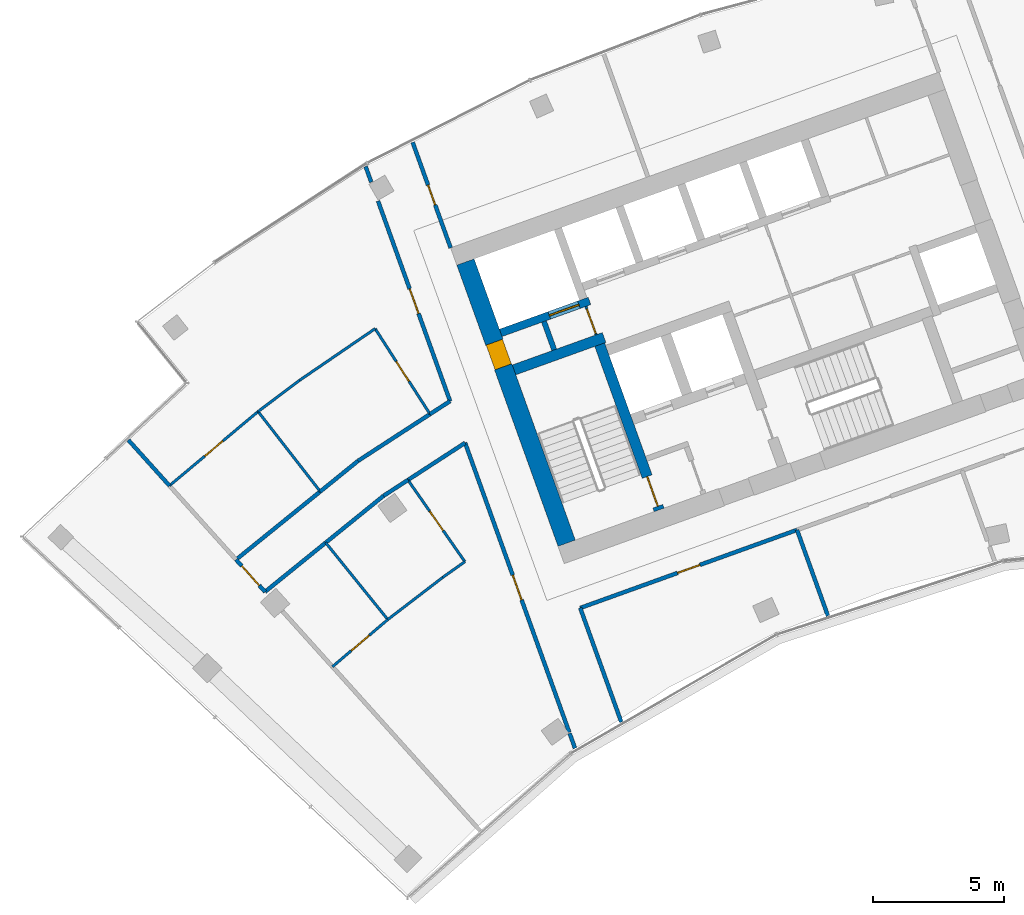
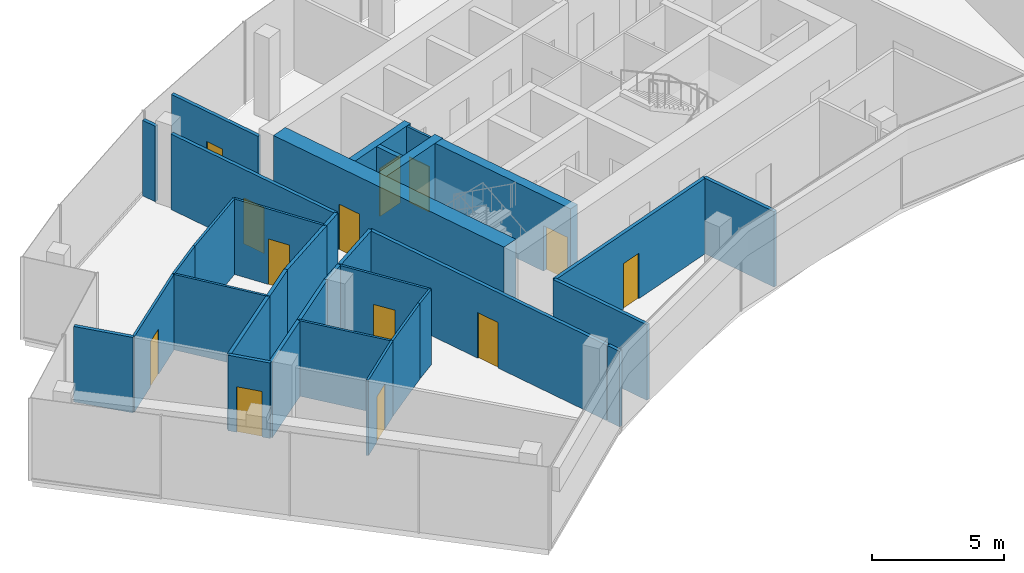
# One storey, part 12 of 18: 34 walls, 13 doors, 13 openings.
"""IFC4 building model written with IfcOpenShell, lengths in metres."""

from ifc_helpers import new_model, si_unit, direction, frame, frame_2d, origin, place, context, subcontext, project, spatial, rectangle, extrude, material, layer, layer_set, type_object, element, fill, save


model = new_model("IFC4")

# Units and contexts
model_context = context("Model", 3, precision=1e-05, world=origin(), true_north=direction((0.0, 1.0)))
body_context = subcontext(model_context, "Body", "Model", "MODEL_VIEW")
ifc_project = project(units=[si_unit("LENGTHUNIT", "METRE"), si_unit("AREAUNIT", "SQUARE_METRE"), si_unit("VOLUMEUNIT", "CUBIC_METRE"), si_unit("PLANEANGLEUNIT", "RADIAN"), si_unit("MASSUNIT", "GRAM", prefix="KILO")], contexts=[model_context])

# Site, building, storey
site_placement = place(None, origin())
site = spatial("IfcSite", under=ifc_project, at=site_placement, CompositionType="ELEMENT")
building_placement = place(site_placement, origin())
building = spatial("IfcBuilding", under=site, at=building_placement, Name="Stone Belt Terrace Tower", CompositionType="ELEMENT")
storey_placement = place(building_placement, frame((0.0, 0.0, 277.0)))
storey = spatial("IfcBuildingStorey", under=building, at=storey_placement, Name="L67", CompositionType="ELEMENT", Elevation=277.0)

# Wall, opening, door
ifc_material_1 = material(Name="Plasterboard partition")
ifc_layer_1 = layer(ifc_material_1, 0.10009765625)
ifc_layer_set_1 = layer_set([ifc_layer_1], Name="Core partition 100")
wall_type_1 = type_object("IfcWallType", Name="Core partition 100", PredefinedType="PARTITIONING", material=ifc_layer_set_1)
wall_1_placement = place(storey_placement, frame((-24.555908203125, 51.10400390625, 0.0), z_axis=(0.0, 0.0, 1.0), x_axis=(-0.338621735342, 0.94092258999, 0.0)))
wall_1 = element("IfcWall", 1, at=wall_1_placement, inside=storey, type_object=wall_type_1, Name="Core A wall", PredefinedType="PARTITIONING", context=body_context, shape_type="SweptSolid", body=[
    extrude(rectangle(XDim=1.14990234375, YDim=0.10009765625, at=frame_2d((0.574951171875, 0.0))), origin(), (0.0, 0.0, 1.0), 3.47998046875),
])
opening_1_placement = place(wall_1_placement, frame((0.050048828125, 0.0, 0.0)))
opening_1 = element("IfcOpeningElement", 2, at=opening_1_placement, cuts=wall_1, Name="Opening L67-C07", PredefinedType="OPENING", context=body_context, shape_type="SweptSolid", body=[
    extrude(rectangle(XDim=1.0, YDim=2.10009765625, at=frame_2d((0.5, 1.050048828125))), frame((0.0, 0.06005859375, 0.0), z_axis=(0.0, -1.0, 0.0), x_axis=(1.0, 0.0, 0.0)), (0.0, 0.0, 1.0), 0.1201171875),
])
ifc_material_2 = material(Name="Timber door leaf", Category="wood")
door_type_1 = type_object("IfcDoorType", Name="Core room door 1000", OperationType="SINGLE_SWING_LEFT", PredefinedType="DOOR", material=ifc_material_2)
door_1_placement = place(opening_1_placement, origin())
door_1 = element("IfcDoor", 3, at=door_1_placement, inside=storey, type_object=door_type_1, Name="Service lift lobby door core A", OperationType="SINGLE_SWING_RIGHT", OverallHeight=2.10009765625, OverallWidth=1.0, PredefinedType="DOOR", context=body_context, shape_type="SweptSolid", body=[
    extrude(rectangle(XDim=1.0, YDim=2.10009765625, at=frame_2d((0.5, 1.050048828125))), frame((0.0, 0.02490234375, 0.0), z_axis=(0.0, -1.0, 0.0), x_axis=(1.0, 0.0, 0.0)), (0.0, 0.0, 1.0), 0.050048828125),
])
fill(opening_1, door_1)

ifc_material_3 = material(Name="Concrete B60", Category="concrete")
ifc_layer_2 = layer(ifc_material_3, 0.699951171875)
ifc_layer_set_2 = layer_set([ifc_layer_2], Name="Core wall 700 B60")
wall_type_2 = type_object("IfcWallType", Name="Core wall 700 B60", PredefinedType="SHEAR", material=ifc_layer_set_2)
wall_2_placement = place(storey_placement, frame((-25.679931640625, 43.153564453125, 0.0), z_axis=(0.0, 0.0, 1.0), x_axis=(-0.338625431531, 0.940921259788, 0.0)))
wall_2 = element("IfcWall", 4, at=wall_2_placement, inside=storey, type_object=wall_type_2, Name="Core A wall end_a L67", PredefinedType="SHEAR", context=body_context, shape_type="SweptSolid", body=[
    extrude(rectangle(XDim=11.400146484375, YDim=0.699951171875, at=frame_2d((5.7001953125, 0.0))), origin(), (0.0, 0.0, 1.0), 3.800048828125),
])
opening_2_placement = place(wall_2_placement, frame((7.14990234375, 0.0, 0.0)))
opening_2 = element("IfcOpeningElement", 5, at=opening_2_placement, cuts=wall_2, Name="Opening L67-C06", PredefinedType="OPENING", context=body_context, shape_type="SweptSolid", body=[
    extrude(rectangle(XDim=1.0, YDim=2.10009765625, at=frame_2d((0.5, 1.050048828125))), frame((0.0, 0.35986328125, 0.0), z_axis=(0.0, -1.0, 0.0), x_axis=(1.0, 0.0, 0.0)), (0.0, 0.0, 1.0), 0.719970703125),
])
door_2_placement = place(opening_2_placement, origin())
door_2 = element("IfcDoor", 6, at=door_2_placement, inside=storey, type_object=door_type_1, Name="Door to Telecommunications riser room core A", OperationType="SINGLE_SWING_LEFT", OverallHeight=2.10009765625, OverallWidth=1.0, PredefinedType="DOOR", context=body_context, shape_type="SweptSolid", body=[
    extrude(rectangle(XDim=1.0, YDim=2.10009765625, at=frame_2d((0.5, 1.050048828125))), frame((0.0, 0.330078125, 0.0), z_axis=(0.0, -1.0, 0.0), x_axis=(1.0, 0.0, 0.0)), (0.0, 0.0, 1.0), 0.659912109375),
])
fill(opening_2, door_2)

ifc_material_4 = material(Name="Concrete B80", Category="concrete")
ifc_layer_3 = layer(ifc_material_4, 0.300048828125)
ifc_layer_set_3 = layer_set([ifc_layer_3], Name="Lift shaft wall 300")
wall_type_3 = type_object("IfcWallType", Name="Lift shaft wall 300", PredefinedType="SHEAR", material=ifc_layer_set_3)
wall_3_placement = place(storey_placement, frame((-28.195068359375, 51.17578125, 0.0), z_axis=(0.0, 0.0, 1.0), x_axis=(0.940901243567, 0.338681044427, 0.0)))
wall_3 = element("IfcWall", 7, at=wall_3_placement, inside=storey, type_object=wall_type_3, Name="Core A wall", PredefinedType="SHEAR", context=body_context, shape_type="SweptSolid", body=[
    extrude(rectangle(XDim=3.599853515625, YDim=0.300048828125, at=frame_2d((1.7998046875, 0.0))), origin(), (0.0, 0.0, 1.0), 3.47998046875),
])
opening_3_placement = place(wall_3_placement, frame((1.969970703125, 0.0, 0.0)))
opening_3 = element("IfcOpeningElement", 8, at=opening_3_placement, cuts=wall_3, Name="Opening L67-LD07", PredefinedType="OPENING", context=body_context, shape_type="SweptSolid", body=[
    extrude(rectangle(XDim=1.199951171875, YDim=2.199951171875, at=frame_2d((0.60009765625, 1.10009765625))), frame((0.0, 0.159912109375, 0.0), z_axis=(0.0, -1.0, 0.0), x_axis=(1.0, 0.0, 0.0)), (0.0, 0.0, 1.0), 0.320068359375),
])
ifc_material_5 = material(Name="Stainless steel door leaf", Category="steel")
door_type_2 = type_object("IfcDoorType", Name="Landing door 1200", OperationType="SLIDING_TO_LEFT", PredefinedType="DOOR", material=ifc_material_5)
door_3_placement = place(opening_3_placement, origin())
door_3 = element("IfcDoor", 9, at=door_3_placement, inside=storey, type_object=door_type_2, Name="Landing door SV1 core A", OperationType="SLIDING_TO_LEFT", OverallHeight=2.199951171875, OverallWidth=1.199951171875, PredefinedType="DOOR", context=body_context, shape_type="SweptSolid", body=[
    extrude(rectangle(XDim=1.199951171875, YDim=2.199951171875, at=frame_2d((0.60009765625, 1.10009765625))), frame((0.0, 0.02490234375, 0.0), z_axis=(0.0, -1.0, 0.0), x_axis=(1.0, 0.0, 0.0)), (0.0, 0.0, 1.0), 0.050048828125),
])
fill(opening_3, door_3)

ifc_material_6 = material(Name="Gypsum board partition")
ifc_layer_4 = layer(ifc_material_6, 0.10009765625)
ifc_layer_set_4 = layer_set([ifc_layer_4], Name="PARTITION 100")
wall_type_4 = type_object("IfcWallType", Name="PARTITION 100", PredefinedType="PARTITIONING", material=ifc_layer_set_4)
wall_4_placement = place(storey_placement, frame((-34.614013671875, 38.443115234375, 0.0), z_axis=(0.0, 0.0, 1.0), x_axis=(0.761006539664, 0.648744207364, 0.0)))
wall_4 = element("IfcWall", 10, at=wall_4_placement, inside=storey, type_object=wall_type_4, Name="L67/wall/i050", PredefinedType="PARTITIONING", context=body_context, shape_type="SweptSolid", body=[
    extrude(rectangle(XDim=2.772705078125, YDim=0.10009765625, at=frame_2d((1.38623046875, 0.0))), origin(), (0.0, 0.0, 1.0), 3.47998046875),
])
opening_4_placement = place(wall_4_placement, frame((0.9365234375, 0.0, 0.0)))
opening_4 = element("IfcOpeningElement", 11, at=opening_4_placement, cuts=wall_4, Name="Opening D-E2-13", PredefinedType="OPENING", context=body_context, shape_type="SweptSolid", body=[
    extrude(rectangle(XDim=0.89990234375, YDim=2.10009765625, at=frame_2d((0.449951171875, 1.050048828125))), frame((0.0, 0.06005859375, 0.0), z_axis=(0.0, -1.0, 0.0), x_axis=(1.0, 0.0, 0.0)), (0.0, 0.0, 1.0), 0.1201171875),
])
door_type_3 = type_object("IfcDoorType", Name="OFFICE DOOR 900 X 2100", OperationType="NOTDEFINED", PredefinedType="DOOR", material=ifc_material_2)
door_4_placement = place(opening_4_placement, origin())
door_4 = element("IfcDoor", 12, at=door_4_placement, inside=storey, type_object=door_type_3, Name="L67/door/i13", OperationType="SINGLE_SWING_RIGHT", OverallHeight=2.10009765625, OverallWidth=0.89990234375, PredefinedType="DOOR", context=body_context, shape_type="SweptSolid", body=[
    extrude(rectangle(XDim=0.89990234375, YDim=2.10009765625, at=frame_2d((0.449951171875, 1.050048828125))), frame((0.0, 0.02490234375, 0.0), z_axis=(0.0, -1.0, 0.0), x_axis=(1.0, 0.0, 0.0)), (0.0, 0.0, 1.0), 0.050048828125),
])
fill(opening_4, door_4)

# Walls
wall_5_placement = place(storey_placement, frame((-32.50390625, 40.241943359375, 0.0), z_axis=(0.0, 0.0, 1.0), x_axis=(0.79364946925, 0.60837531176, 0.0)))
element("IfcWall", 13, at=wall_5_placement, inside=storey, type_object=wall_type_4, Name="L67/wall/i051", PredefinedType="PARTITIONING", context=body_context, shape_type="SweptSolid", body=[
    extrude(rectangle(XDim=2.643310546875, YDim=0.10009765625, at=frame_2d((1.32177734375, 0.0))), origin(), (0.0, 0.0, 1.0), 3.47998046875),
])
wall_6_placement = place(storey_placement, frame((-30.406005859375, 41.85009765625, 0.0), z_axis=(0.0, 0.0, 1.0), x_axis=(0.814913166391, 0.579583066732, 0.0)))
element("IfcWall", 14, at=wall_6_placement, inside=storey, type_object=wall_type_4, Name="L67/wall/i052", PredefinedType="PARTITIONING", context=body_context, shape_type="SweptSolid", body=[
    extrude(rectangle(XDim=1.033203125, YDim=0.10009765625, at=frame_2d((0.5166015625, 0.0))), origin(), (0.0, 0.0, 1.0), 3.47998046875),
])

# Wall, opening, door
wall_7_placement = place(storey_placement, frame((-29.56396484375, 42.448974609375, 0.0), z_axis=(0.0, 0.0, 1.0), x_axis=(-0.571687766548, 0.820471265541, 0.0)))
wall_7 = element("IfcWall", 15, at=wall_7_placement, inside=storey, type_object=wall_type_4, Name="L67/wall/i053", PredefinedType="PARTITIONING", context=body_context, shape_type="SweptSolid", body=[
    extrude(rectangle(XDim=3.7978515625, YDim=0.10009765625, at=frame_2d((1.89892578125, 0.0))), origin(), (0.0, 0.0, 1.0), 3.47998046875),
])
opening_5_placement = place(wall_7_placement, frame((1.448974609375, 0.0, 0.0)))
opening_5 = element("IfcOpeningElement", 16, at=opening_5_placement, cuts=wall_7, Name="Opening D-E2-14", PredefinedType="OPENING", context=body_context, shape_type="SweptSolid", body=[
    extrude(rectangle(XDim=0.89990234375, YDim=2.10009765625, at=frame_2d((0.449951171875, 1.050048828125))), frame((0.0, 0.06005859375, 0.0), z_axis=(0.0, -1.0, 0.0), x_axis=(1.0, 0.0, 0.0)), (0.0, 0.0, 1.0), 0.1201171875),
])
door_5_placement = place(opening_5_placement, origin())
door_5 = element("IfcDoor", 17, at=door_5_placement, inside=storey, type_object=door_type_3, Name="L67/door/i14", OperationType="SINGLE_SWING_RIGHT", OverallHeight=2.10009765625, OverallWidth=0.89990234375, PredefinedType="DOOR", context=body_context, shape_type="SweptSolid", body=[
    extrude(rectangle(XDim=0.89990234375, YDim=2.10009765625, at=frame_2d((0.449951171875, 1.050048828125))), frame((0.0, 0.02490234375, 0.0), z_axis=(0.0, -1.0, 0.0), x_axis=(1.0, 0.0, 0.0)), (0.0, 0.0, 1.0), 0.050048828125),
])
fill(opening_5, door_5)

# Wall
wall_8_placement = place(storey_placement, frame((-34.873046875, 43.174072265625, 0.0), z_axis=(0.0, 0.0, 1.0), x_axis=(0.628478802545, -0.777826712547, 0.0)))
element("IfcWall", 18, at=wall_8_placement, inside=storey, type_object=wall_type_4, Name="L67/wall/i054", PredefinedType="PARTITIONING", context=body_context, shape_type="SweptSolid", body=[
    extrude(rectangle(XDim=3.76953125, YDim=0.10009765625, at=frame_2d((1.884765625, 0.0))), origin(), (0.0, 0.0, 1.0), 3.47998046875),
])

# Wall, opening, door
wall_9_placement = place(storey_placement, frame((-37.451904296875, 48.177001953125, 0.0), z_axis=(0.0, 0.0, 1.0), x_axis=(-0.766843891386, -0.641833659327, 0.0)))
wall_9 = element("IfcWall", 19, at=wall_9_placement, inside=storey, type_object=wall_type_4, Name="L67/wall/i055", PredefinedType="PARTITIONING", context=body_context, shape_type="SweptSolid", body=[
    extrude(rectangle(XDim=4.407958984375, YDim=0.10009765625, at=frame_2d((2.2041015625, 0.0))), origin(), (0.0, 0.0, 1.0), 3.47998046875),
])
opening_6_placement = place(wall_9_placement, frame((1.75390625, 0.0, 0.0)))
opening_6 = element("IfcOpeningElement", 20, at=opening_6_placement, cuts=wall_9, Name="Opening D-E2-16", PredefinedType="OPENING", context=body_context, shape_type="SweptSolid", body=[
    extrude(rectangle(XDim=0.89990234375, YDim=2.10009765625, at=frame_2d((0.449951171875, 1.050048828125))), frame((0.0, 0.06005859375, 0.0), z_axis=(0.0, -1.0, 0.0), x_axis=(1.0, 0.0, 0.0)), (0.0, 0.0, 1.0), 0.1201171875),
])
door_6_placement = place(opening_6_placement, origin())
door_6 = element("IfcDoor", 21, at=door_6_placement, inside=storey, type_object=door_type_3, Name="L67/door/i16", OperationType="SINGLE_SWING_RIGHT", OverallHeight=2.10009765625, OverallWidth=0.89990234375, PredefinedType="DOOR", context=body_context, shape_type="SweptSolid", body=[
    extrude(rectangle(XDim=0.89990234375, YDim=2.10009765625, at=frame_2d((0.449951171875, 1.050048828125))), frame((0.0, 0.02490234375, 0.0), z_axis=(0.0, -1.0, 0.0), x_axis=(1.0, 0.0, 0.0)), (0.0, 0.0, 1.0), 0.050048828125),
])
fill(opening_6, door_6)

wall_10_placement = place(storey_placement, frame((-30.89208984375, 48.077880859375, 0.0), z_axis=(0.0, 0.0, 1.0), x_axis=(-0.540442272647, 0.841381096731, 0.0)))
wall_10 = element("IfcWall", 22, at=wall_10_placement, inside=storey, type_object=wall_type_4, Name="L67/wall/i056", PredefinedType="PARTITIONING", context=body_context, shape_type="SweptSolid", body=[
    extrude(rectangle(XDim=3.87451171875, YDim=0.10009765625, at=frame_2d((1.937255859375, 0.0))), origin(), (0.0, 0.0, 1.0), 3.47998046875),
])
opening_7_placement = place(wall_10_placement, frame((1.4873046875, 0.0, 0.0)))
opening_7 = element("IfcOpeningElement", 23, at=opening_7_placement, cuts=wall_10, Name="Opening D-E2-17", PredefinedType="OPENING", context=body_context, shape_type="SweptSolid", body=[
    extrude(rectangle(XDim=0.89990234375, YDim=2.10009765625, at=frame_2d((0.449951171875, 1.050048828125))), frame((0.0, 0.06005859375, 0.0), z_axis=(0.0, -1.0, 0.0), x_axis=(1.0, 0.0, 0.0)), (0.0, 0.0, 1.0), 0.1201171875),
])
door_7_placement = place(opening_7_placement, origin())
door_7 = element("IfcDoor", 24, at=door_7_placement, inside=storey, type_object=door_type_3, Name="L67/door/i17", OperationType="SINGLE_SWING_RIGHT", OverallHeight=2.10009765625, OverallWidth=0.89990234375, PredefinedType="DOOR", context=body_context, shape_type="SweptSolid", body=[
    extrude(rectangle(XDim=0.89990234375, YDim=2.10009765625, at=frame_2d((0.449951171875, 1.050048828125))), frame((0.0, 0.02490234375, 0.0), z_axis=(0.0, -1.0, 0.0), x_axis=(1.0, 0.0, 0.0)), (0.0, 0.0, 1.0), 0.050048828125),
])
fill(opening_7, door_7)

# Walls
wall_11_placement = place(storey_placement, frame((-32.986083984375, 51.337890625, 0.0), z_axis=(0.0, 0.0, 1.0), x_axis=(-0.825549065717, -0.5643303466, 0.0)))
element("IfcWall", 25, at=wall_11_placement, inside=storey, type_object=wall_type_4, Name="L67/wall/i057", PredefinedType="PARTITIONING", context=body_context, shape_type="SweptSolid", body=[
    extrude(rectangle(XDim=3.49072265625, YDim=0.10009765625, at=frame_2d((1.745361328125, 0.0))), origin(), (0.0, 0.0, 1.0), 3.47998046875),
])
wall_12_placement = place(storey_placement, frame((-35.867919921875, 49.367919921875, 0.0), z_axis=(0.0, 0.0, 1.0), x_axis=(-0.799289836713, -0.600945718786, 0.0)))
element("IfcWall", 26, at=wall_12_placement, inside=storey, type_object=wall_type_4, Name="L67/wall/i058", PredefinedType="PARTITIONING", context=body_context, shape_type="SweptSolid", body=[
    extrude(rectangle(XDim=1.981689453125, YDim=0.10009765625, at=frame_2d((0.99072265625, 0.0))), origin(), (0.0, 0.0, 1.0), 3.47998046875),
])
wall_13_placement = place(storey_placement, frame((-37.451904296875, 48.177001953125, 0.0), z_axis=(0.0, 0.0, 1.0), x_axis=(0.613748153551, -0.78950187081, 0.0)))
element("IfcWall", 27, at=wall_13_placement, inside=storey, type_object=wall_type_4, Name="L67/wall/i059", PredefinedType="PARTITIONING", context=body_context, shape_type="SweptSolid", body=[
    extrude(rectangle(XDim=3.864501953125, YDim=0.10009765625, at=frame_2d((1.93212890625, 0.0))), origin(), (0.0, 0.0, 1.0), 3.47998046875),
])
ifc_layer_5 = layer(ifc_material_6, 0.14990234375)
ifc_layer_set_5 = layer_set([ifc_layer_5], Name="PARTITION 150 EI 60")
wall_type_5 = type_object("IfcWallType", Name="PARTITION 150 EI 60", PredefinedType="PARTITIONING", material=ifc_layer_set_5)
wall_14_placement = place(storey_placement, frame((-25.1650390625, 40.68896484375, 0.0), z_axis=(0.0, 0.0, 1.0), x_axis=(0.338609342271, -0.94092704995, 0.0)))
element("IfcWall", 28, at=wall_14_placement, inside=storey, type_object=wall_type_5, Name="L67/wall/i001", PredefinedType="PARTITIONING", context=body_context, shape_type="SweptSolid", body=[
    extrude(rectangle(XDim=4.6318359375, YDim=0.14990234375, at=frame_2d((2.31591796875, 0.0))), origin(), (0.0, 0.0, 1.0), 3.47998046875),
])

# Wall, opening, door
wall_15_placement = place(storey_placement, frame((-31.556884765625, 58.4521484375, 0.0), z_axis=(0.0, 0.0, 1.0), x_axis=(0.338580264222, -0.940937513695, 0.0)))
wall_15 = element("IfcWall", 29, at=wall_15_placement, inside=storey, type_object=wall_type_5, Name="L67/wall/i002", PredefinedType="PARTITIONING", context=body_context, shape_type="SweptSolid", body=[
    extrude(rectangle(XDim=4.285400390625, YDim=0.14990234375, at=frame_2d((2.142578125, 0.0))), origin(), (0.0, 0.0, 1.0), 3.47998046875),
])
opening_8_placement = place(wall_15_placement, frame((1.74267578125, 0.0, 0.0)))
opening_8 = element("IfcOpeningElement", 30, at=opening_8_placement, cuts=wall_15, Name="Opening D-E2-04", PredefinedType="OPENING", context=body_context, shape_type="SweptSolid", body=[
    extrude(rectangle(XDim=0.800048828125, YDim=2.10009765625, at=frame_2d((0.39990234375, 1.050048828125))), frame((0.0, 0.0849609375, 0.0), z_axis=(0.0, -1.0, 0.0), x_axis=(1.0, 0.0, 0.0)), (0.0, 0.0, 1.0), 0.169921875),
])
door_type_4 = type_object("IfcDoorType", Name="STORE DOOR 800 X 2100", OperationType="NOTDEFINED", PredefinedType="DOOR", material=ifc_material_2)
door_8_placement = place(opening_8_placement, origin())
door_8 = element("IfcDoor", 31, at=door_8_placement, inside=storey, type_object=door_type_4, Name="L67/door/i04", OperationType="SINGLE_SWING_RIGHT", OverallHeight=2.10009765625, OverallWidth=0.800048828125, PredefinedType="DOOR", context=body_context, shape_type="SweptSolid", body=[
    extrude(rectangle(XDim=0.800048828125, YDim=2.10009765625, at=frame_2d((0.39990234375, 1.050048828125))), frame((0.0, 0.02490234375, 0.0), z_axis=(0.0, -1.0, 0.0), x_axis=(1.0, 0.0, 0.0)), (0.0, 0.0, 1.0), 0.050048828125),
])
fill(opening_8, door_8)

# Wall
wall_16_placement = place(storey_placement, frame((-25.361083984375, 35.329833984375, 0.0), z_axis=(0.0, 0.0, 1.0), x_axis=(-0.338633814852, 0.940918242696, 0.0)))
element("IfcWall", 32, at=wall_16_placement, inside=storey, type_object=wall_type_5, Name="L67/wall/i003", PredefinedType="PARTITIONING", context=body_context, shape_type="SweptSolid", body=[
    extrude(rectangle(XDim=0.605712890625, YDim=0.14990234375, at=frame_2d((0.302734375, 0.0))), origin(), (0.0, 0.0, 1.0), 3.47998046875),
])

# Wall, opening, door
wall_17_placement = place(storey_placement, frame((-25.5810546875, 35.94091796875, 0.0), z_axis=(0.0, 0.0, 1.0), x_axis=(-0.338660555828, 0.940908618265, 0.0)))
wall_17 = element("IfcWall", 33, at=wall_17_placement, inside=storey, type_object=wall_type_5, Name="L67/wall/i004", PredefinedType="PARTITIONING", context=body_context, shape_type="SweptSolid", body=[
    extrude(rectangle(XDim=11.73974609375, YDim=0.14990234375, at=frame_2d((5.869873046875, 0.0))), origin(), (0.0, 0.0, 1.0), 3.47998046875),
])
opening_9_placement = place(wall_17_placement, frame((5.369873046875, 0.0, 0.0)))
opening_9 = element("IfcOpeningElement", 34, at=opening_9_placement, cuts=wall_17, Name="Opening D-E2-12", PredefinedType="OPENING", context=body_context, shape_type="SweptSolid", body=[
    extrude(rectangle(XDim=1.0, YDim=2.10009765625, at=frame_2d((0.5, 1.050048828125))), frame((0.0, 0.0849609375, 0.0), z_axis=(0.0, -1.0, 0.0), x_axis=(1.0, 0.0, 0.0)), (0.0, 0.0, 1.0), 0.169921875),
])
ifc_material_7 = material(Name="Timber fire door leaf", Category="wood")
door_type_5 = type_object("IfcDoorType", Name="TENANCY ENTRANCE DOOR 1000 X 2100", OperationType="NOTDEFINED", PredefinedType="DOOR", material=ifc_material_7)
door_9_placement = place(opening_9_placement, origin())
door_9 = element("IfcDoor", 35, at=door_9_placement, inside=storey, type_object=door_type_5, Name="L67/door/i12", OperationType="SINGLE_SWING_LEFT", OverallHeight=2.10009765625, OverallWidth=1.0, PredefinedType="DOOR", context=body_context, shape_type="SweptSolid", body=[
    extrude(rectangle(XDim=1.0, YDim=2.10009765625, at=frame_2d((0.5, 1.050048828125))), frame((0.0, 0.02490234375, 0.0), z_axis=(0.0, -1.0, 0.0), x_axis=(1.0, 0.0, 0.0)), (0.0, 0.0, 1.0), 0.050048828125),
])
fill(opening_9, door_9)

wall_18_placement = place(storey_placement, frame((-30.1259765625, 48.568115234375, 0.0), z_axis=(0.0, 0.0, 1.0), x_axis=(-0.338638537247, 0.940916543106, 0.0)))
wall_18 = element("IfcWall", 36, at=wall_18_placement, inside=storey, type_object=wall_type_5, Name="L67/wall/i005", PredefinedType="PARTITIONING", context=body_context, shape_type="SweptSolid", body=[
    extrude(rectangle(XDim=8.11865234375, YDim=0.14990234375, at=frame_2d((4.059326171875, 0.0))), origin(), (0.0, 0.0, 1.0), 3.47998046875),
])
opening_10_placement = place(wall_18_placement, frame((3.559326171875, 0.0, 0.0)))
opening_10 = element("IfcOpeningElement", 37, at=opening_10_placement, cuts=wall_18, Name="Opening D-E2-15", PredefinedType="OPENING", context=body_context, shape_type="SweptSolid", body=[
    extrude(rectangle(XDim=1.0, YDim=2.10009765625, at=frame_2d((0.5, 1.050048828125))), frame((0.0, 0.0849609375, 0.0), z_axis=(0.0, -1.0, 0.0), x_axis=(1.0, 0.0, 0.0)), (0.0, 0.0, 1.0), 0.169921875),
])
door_10_placement = place(opening_10_placement, origin())
door_10 = element("IfcDoor", 38, at=door_10_placement, inside=storey, type_object=door_type_5, Name="L67/door/i15", OperationType="SINGLE_SWING_RIGHT", OverallHeight=2.10009765625, OverallWidth=1.0, PredefinedType="DOOR", context=body_context, shape_type="SweptSolid", body=[
    extrude(rectangle(XDim=1.0, YDim=2.10009765625, at=frame_2d((0.5, 1.050048828125))), frame((0.0, 0.02490234375, 0.0), z_axis=(0.0, -1.0, 0.0), x_axis=(1.0, 0.0, 0.0)), (0.0, 0.0, 1.0), 0.050048828125),
])
fill(opening_10, door_10)

# Wall
wall_19_placement = place(storey_placement, frame((-33.134765625, 56.928466796875, 0.0), z_axis=(0.0, 0.0, 1.0), x_axis=(-0.338733145318, 0.94088248802, 0.0)))
element("IfcWall", 39, at=wall_19_placement, inside=storey, type_object=wall_type_5, Name="L67/wall/i006", PredefinedType="PARTITIONING", context=body_context, shape_type="SweptSolid", body=[
    extrude(rectangle(XDim=0.632080078125, YDim=0.14990234375, at=frame_2d((0.31591796875, 0.0))), origin(), (0.0, 0.0, 1.0), 3.47998046875),
])

# Wall, opening, door
wall_20_placement = place(storey_placement, frame((-16.886962890625, 43.662109375, 0.0), z_axis=(0.0, 0.0, 1.0), x_axis=(-0.940901918057, -0.338679170599, 0.0)))
wall_20 = element("IfcWall", 40, at=wall_20_placement, inside=storey, type_object=wall_type_5, Name="L67/wall/i011", PredefinedType="PARTITIONING", context=body_context, shape_type="SweptSolid", body=[
    extrude(rectangle(XDim=8.7958984375, YDim=0.14990234375, at=frame_2d((4.39794921875, 0.0))), origin(), (0.0, 0.0, 1.0), 3.47998046875),
])
opening_11_placement = place(wall_20_placement, frame((3.947998046875, 0.0, 0.0)))
opening_11 = element("IfcOpeningElement", 41, at=opening_11_placement, cuts=wall_20, Name="Opening D-E2-01", PredefinedType="OPENING", context=body_context, shape_type="SweptSolid", body=[
    extrude(rectangle(XDim=0.89990234375, YDim=2.10009765625, at=frame_2d((0.449951171875, 1.050048828125))), frame((0.0, 0.0849609375, 0.0), z_axis=(0.0, -1.0, 0.0), x_axis=(1.0, 0.0, 0.0)), (0.0, 0.0, 1.0), 0.169921875),
])
door_11_placement = place(opening_11_placement, origin())
door_11 = element("IfcDoor", 42, at=door_11_placement, inside=storey, type_object=door_type_3, Name="L67/door/i01", OperationType="SINGLE_SWING_RIGHT", OverallHeight=2.10009765625, OverallWidth=0.89990234375, PredefinedType="DOOR", context=body_context, shape_type="SweptSolid", body=[
    extrude(rectangle(XDim=0.89990234375, YDim=2.10009765625, at=frame_2d((0.449951171875, 1.050048828125))), frame((0.0, 0.02490234375, 0.0), z_axis=(0.0, -1.0, 0.0), x_axis=(1.0, 0.0, 0.0)), (0.0, 0.0, 1.0), 0.050048828125),
])
fill(opening_11, door_11)

# Wall
wall_21_placement = place(storey_placement, frame((-16.89208984375, 43.658935546875, 0.0), z_axis=(0.0, 0.0, 1.0), x_axis=(0.33852083137, -0.94095889747, 0.0)))
element("IfcWall", 43, at=wall_21_placement, inside=storey, type_object=wall_type_5, Name="L67/wall/i014", PredefinedType="PARTITIONING", context=body_context, shape_type="SweptSolid", body=[
    extrude(rectangle(XDim=3.48193359375, YDim=0.14990234375, at=frame_2d((1.740966796875, 0.0))), origin(), (0.0, 0.0, 1.0), 3.47998046875),
])

# Wall, opening, door
wall_22_placement = place(storey_placement, frame((-37.18310546875, 41.294921875, 0.0), z_axis=(0.0, 0.0, 1.0), x_axis=(-0.669037778615, 0.743228397456, 0.0)))
wall_22 = element("IfcWall", 44, at=wall_22_placement, inside=storey, type_object=wall_type_5, Name="L67/wall/i037", PredefinedType="PARTITIONING", context=body_context, shape_type="SweptSolid", body=[
    extrude(rectangle(XDim=1.661865234375, YDim=0.14990234375, at=frame_2d((0.8310546875, 0.0))), origin(), (0.0, 0.0, 1.0), 3.47998046875),
])
opening_12_placement = place(wall_22_placement, frame((0.330810546875, 0.0, 0.0)))
opening_12 = element("IfcOpeningElement", 45, at=opening_12_placement, cuts=wall_22, Name="Opening D-E2-11", PredefinedType="OPENING", context=body_context, shape_type="SweptSolid", body=[
    extrude(rectangle(XDim=1.0, YDim=2.10009765625, at=frame_2d((0.5, 1.050048828125))), frame((0.0, 0.0849609375, 0.0), z_axis=(0.0, -1.0, 0.0), x_axis=(1.0, 0.0, 0.0)), (0.0, 0.0, 1.0), 0.169921875),
])
door_12_placement = place(opening_12_placement, origin())
door_12 = element("IfcDoor", 46, at=door_12_placement, inside=storey, type_object=door_type_5, Name="L67/door/i11", OperationType="SINGLE_SWING_RIGHT", OverallHeight=2.10009765625, OverallWidth=1.0, PredefinedType="DOOR", context=body_context, shape_type="SweptSolid", body=[
    extrude(rectangle(XDim=1.0, YDim=2.10009765625, at=frame_2d((0.5, 1.050048828125))), frame((0.0, 0.02490234375, 0.0), z_axis=(0.0, -1.0, 0.0), x_axis=(1.0, 0.0, 0.0)), (0.0, 0.0, 1.0), 0.050048828125),
])
fill(opening_12, door_12)

# Walls
wall_23_placement = place(storey_placement, frame((-42.39892578125, 47.08837890625, 0.0), z_axis=(0.0, 0.0, 1.0), x_axis=(0.669016425436, -0.743247618561, 0.0)))
element("IfcWall", 47, at=wall_23_placement, inside=storey, type_object=wall_type_5, Name="L67/wall/i040", PredefinedType="PARTITIONING", context=body_context, shape_type="SweptSolid", body=[
    extrude(rectangle(XDim=2.348388671875, YDim=0.14990234375, at=frame_2d((1.17431640625, 0.0))), origin(), (0.0, 0.0, 1.0), 3.47998046875),
])
wall_24_placement = place(storey_placement, frame((-29.554931640625, 46.98095703125, 0.0), z_axis=(0.0, 0.0, 1.0), x_axis=(-0.838679041063, -0.544625987336, 0.0)))
element("IfcWall", 48, at=wall_24_placement, inside=storey, type_object=wall_type_5, Name="L67/wall/i042", PredefinedType="PARTITIONING", context=body_context, shape_type="SweptSolid", body=[
    extrude(rectangle(XDim=2.60546875, YDim=0.14990234375, at=frame_2d((1.302734375, 0.0))), origin(), (0.0, 0.0, 1.0), 3.47998046875),
])
wall_25_placement = place(storey_placement, frame((-34.867919921875, 43.177978515625, 0.0), z_axis=(0.0, 0.0, 1.0), x_axis=(-0.777151504494, -0.629313545907, 0.0)))
element("IfcWall", 49, at=wall_25_placement, inside=storey, type_object=wall_type_5, Name="L67/wall/i043", PredefinedType="PARTITIONING", context=body_context, shape_type="SweptSolid", body=[
    extrude(rectangle(XDim=2.984130859375, YDim=0.14990234375, at=frame_2d((1.4921875, 0.0))), origin(), (0.0, 0.0, 1.0), 3.47998046875),
])
wall_26_placement = place(storey_placement, frame((-31.72998046875, 45.568115234375, 0.0), z_axis=(0.0, 0.0, 1.0), x_axis=(-0.838953186683, -0.544203592927, 0.0)))
element("IfcWall", 50, at=wall_26_placement, inside=storey, type_object=wall_type_5, Name="L67/wall/i044", PredefinedType="PARTITIONING", context=body_context, shape_type="SweptSolid", body=[
    extrude(rectangle(XDim=1.11572265625, YDim=0.14990234375, at=frame_2d((0.557861328125, 0.0))), origin(), (0.0, 0.0, 1.0), 3.47998046875),
])
wall_27_placement = place(storey_placement, frame((-32.666015625, 44.9609375, 0.0), z_axis=(0.0, 0.0, 1.0), x_axis=(-0.77717295087, -0.629287060439, 0.0)))
element("IfcWall", 51, at=wall_27_placement, inside=storey, type_object=wall_type_5, Name="L67/wall/i045", PredefinedType="PARTITIONING", context=body_context, shape_type="SweptSolid", body=[
    extrude(rectangle(XDim=2.84619140625, YDim=0.14990234375, at=frame_2d((1.423095703125, 0.0))), origin(), (0.0, 0.0, 1.0), 3.47998046875),
])
wall_28_placement = place(storey_placement, frame((-30.89697265625, 48.074951171875, 0.0), z_axis=(0.0, 0.0, 1.0), x_axis=(0.838869265382, 0.544332945537, 0.0)))
element("IfcWall", 52, at=wall_28_placement, inside=storey, type_object=wall_type_5, Name="L67/wall/i046", PredefinedType="PARTITIONING", context=body_context, shape_type="SweptSolid", body=[
    extrude(rectangle(XDim=0.916748046875, YDim=0.14990234375, at=frame_2d((0.45849609375, 0.0))), origin(), (0.0, 0.0, 1.0), 3.47998046875),
])
wall_29_placement = place(storey_placement, frame((-38.291015625, 42.52587890625, 0.0), z_axis=(0.0, 0.0, 1.0), x_axis=(0.777183040094, 0.629274599988, 0.0)))
element("IfcWall", 53, at=wall_29_placement, inside=storey, type_object=wall_type_5, Name="L67/wall/i047", PredefinedType="PARTITIONING", context=body_context, shape_type="SweptSolid", body=[
    extrude(rectangle(XDim=4.13818359375, YDim=0.14990234375, at=frame_2d((2.069091796875, 0.0))), origin(), (0.0, 0.0, 1.0), 3.47998046875),
])
wall_30_placement = place(storey_placement, frame((-35.0849609375, 45.1220703125, 0.0), z_axis=(0.0, 0.0, 1.0), x_axis=(0.777022254628, 0.629473125569, 0.0)))
element("IfcWall", 54, at=wall_30_placement, inside=storey, type_object=wall_type_5, Name="L67/wall/i048", PredefinedType="PARTITIONING", context=body_context, shape_type="SweptSolid", body=[
    extrude(rectangle(XDim=1.86474609375, YDim=0.14990234375, at=frame_2d((0.932373046875, 0.0))), origin(), (0.0, 0.0, 1.0), 3.47998046875),
])
wall_31_placement = place(storey_placement, frame((-33.635986328125, 46.2958984375, 0.0), z_axis=(0.0, 0.0, 1.0), x_axis=(0.838681777974, 0.544621772695, 0.0)))
element("IfcWall", 55, at=wall_31_placement, inside=storey, type_object=wall_type_5, Name="L67/wall/i049", PredefinedType="PARTITIONING", context=body_context, shape_type="SweptSolid", body=[
    extrude(rectangle(XDim=3.27783203125, YDim=0.14990234375, at=frame_2d((1.638916015625, 0.0))), origin(), (0.0, 0.0, 1.0), 3.47998046875),
])
ifc_material_8 = material(Name="Concrete masonry block", Category="masonry")
ifc_layer_6 = layer(ifc_material_8, 0.199951171875)
ifc_layer_set_6 = layer_set([ifc_layer_6], Name="Rated lobby wall 200")
wall_type_6 = type_object("IfcWallType", Name="Rated lobby wall 200", PredefinedType="PARTITIONING", material=ifc_layer_set_6)
wall_32_placement = place(storey_placement, frame((-26.1552734375, 50.5283203125, 0.0), z_axis=(0.0, 0.0, 1.0), x_axis=(-0.338621735342, 0.94092258999, 0.0)))
element("IfcWall", 56, at=wall_32_placement, inside=storey, type_object=wall_type_6, Name="Core A wall", PredefinedType="PARTITIONING", context=body_context, shape_type="SweptSolid", body=[
    extrude(rectangle(XDim=1.14990234375, YDim=0.199951171875, at=frame_2d((0.574951171875, 0.0))), origin(), (0.0, 0.0, 1.0), 3.47998046875),
])
ifc_layer_7 = layer(ifc_material_4, 0.39990234375)
ifc_layer_set_7 = layer_set([ifc_layer_7], Name="Stair enclosure wall 400")
wall_type_7 = type_object("IfcWallType", Name="Stair enclosure wall 400", PredefinedType="SHEAR", material=ifc_layer_set_7)
wall_33_placement = place(storey_placement, frame((-27.687255859375, 49.764404296875, 0.0), z_axis=(0.0, 0.0, 1.0), x_axis=(0.940918954884, 0.338631835981, 0.0)))
element("IfcWall", 57, at=wall_33_placement, inside=storey, type_object=wall_type_7, Name="Core A wall", PredefinedType="SHEAR", context=body_context, shape_type="SweptSolid", body=[
    extrude(rectangle(XDim=3.650146484375, YDim=0.39990234375, at=frame_2d((1.8251953125, 0.0))), origin(), (0.0, 0.0, 1.0), 3.47998046875),
])

# Wall, opening, door
wall_34_placement = place(storey_placement, frame((-22.151611328125, 44.42333984375, 0.0), z_axis=(0.0, 0.0, 1.0), x_axis=(-0.338625272931, 0.940921316866, 0.0)))
wall_34 = element("IfcWall", 58, at=wall_34_placement, inside=storey, type_object=wall_type_7, Name="Core A wall", PredefinedType="SHEAR", context=body_context, shape_type="SweptSolid", body=[
    extrude(rectangle(XDim=6.699951171875, YDim=0.39990234375, at=frame_2d((3.35009765625, 0.0))), origin(), (0.0, 0.0, 1.0), 3.47998046875),
])
opening_13_placement = place(wall_34_placement, frame((0.14990234375, 0.0, 0.0)))
opening_13 = element("IfcOpeningElement", 59, at=opening_13_placement, cuts=wall_34, Name="Opening L67-C10", PredefinedType="OPENING", context=body_context, shape_type="SweptSolid", body=[
    extrude(rectangle(XDim=1.199951171875, YDim=2.10009765625, at=frame_2d((0.60009765625, 1.050048828125))), frame((0.0, 0.2099609375, 0.0), z_axis=(0.0, -1.0, 0.0), x_axis=(1.0, 0.0, 0.0)), (0.0, 0.0, 1.0), 0.419921875),
])
ifc_material_9 = material(Name="Steel door leaf", Category="steel")
door_type_6 = type_object("IfcDoorType", Name="Stair door 1200", OperationType="SINGLE_SWING_LEFT", PredefinedType="DOOR", material=ifc_material_9)
door_13_placement = place(opening_13_placement, origin())
door_13 = element("IfcDoor", 60, at=door_13_placement, inside=storey, type_object=door_type_6, Name="Stair 1 door core A", OperationType="SINGLE_SWING_RIGHT", OverallHeight=2.10009765625, OverallWidth=1.199951171875, PredefinedType="DOOR", context=body_context, shape_type="SweptSolid", body=[
    extrude(rectangle(XDim=1.199951171875, YDim=2.10009765625, at=frame_2d((0.60009765625, 1.050048828125))), frame((0.0, 0.02490234375, 0.0), z_axis=(0.0, -1.0, 0.0), x_axis=(1.0, 0.0, 0.0)), (0.0, 0.0, 1.0), 0.050048828125),
])
fill(opening_13, door_13)

save(model, "model.ifc")
